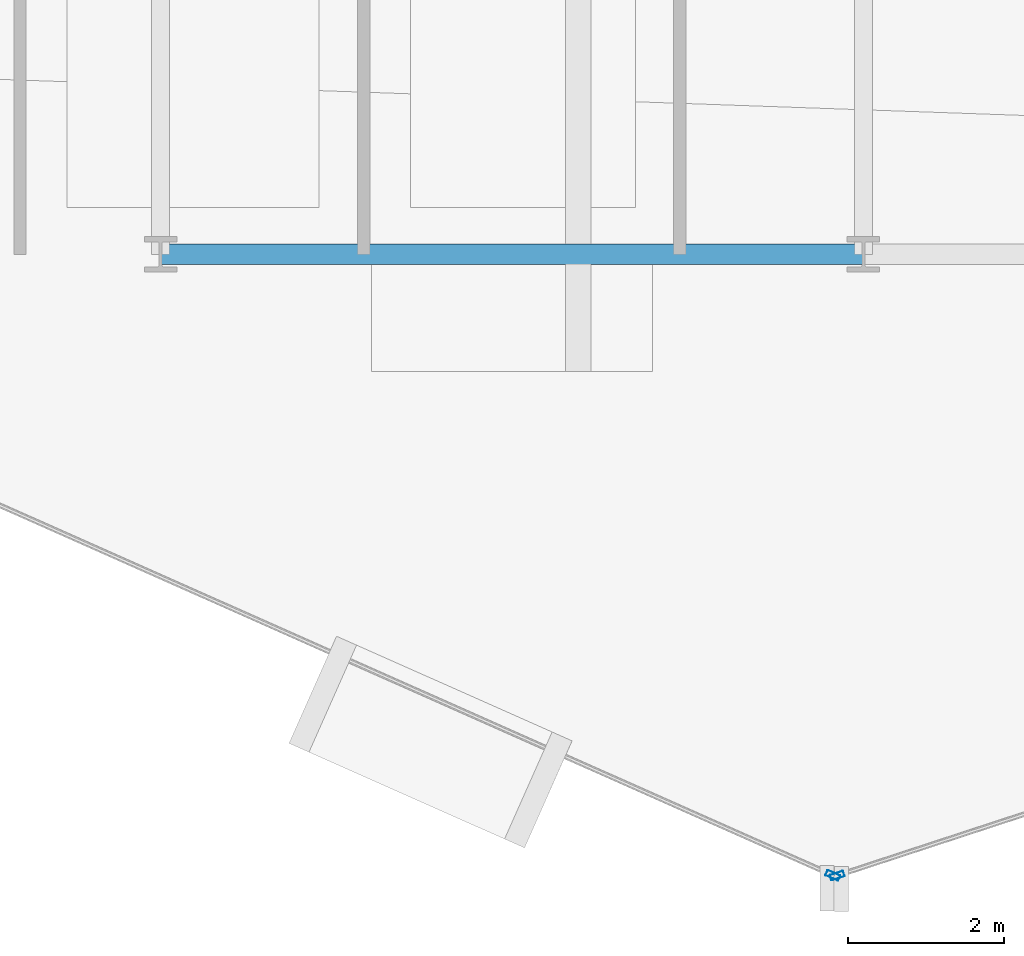
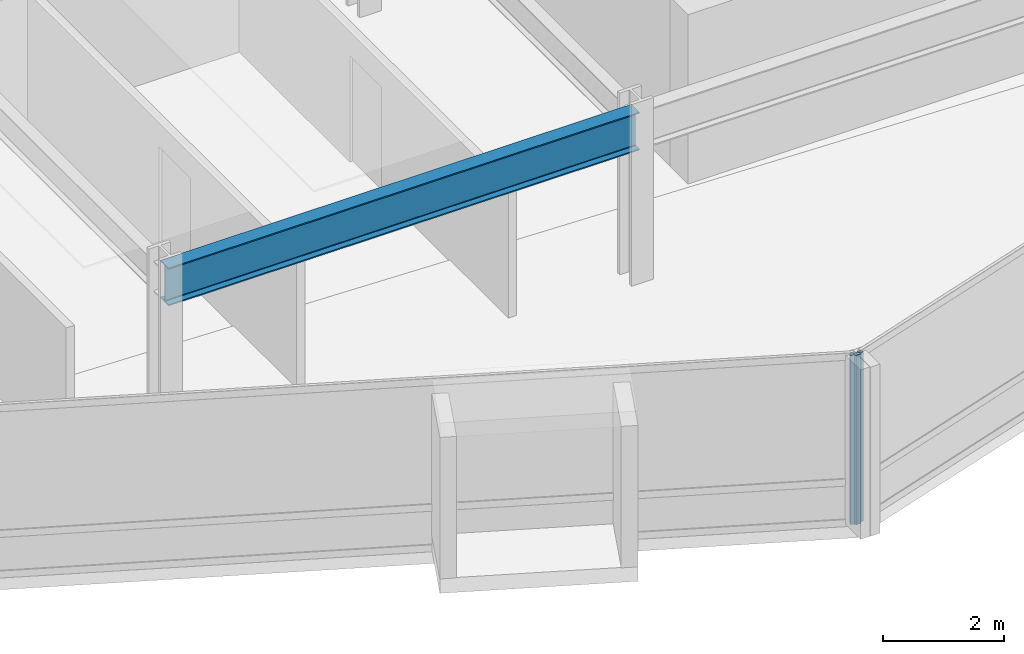
# One storey, part 4 of 29: 2 members, 1 beam, 2 elements without a shape of their own.
"""IFC4 building model written with IfcOpenShell, lengths in metres."""

from ifc_helpers import new_model, si_unit, direction, frame, origin, origin_2d, place, context, subcontext, project, spatial, hollow_rectangle, i_section, extrude, material, layer, layer_set, material_profile, profile_set, type_object, element, aggregate, save


model = new_model("IFC4")

# Units and contexts
model_context = context("Model", 3, precision=1e-05, world=origin(), true_north=direction((0.0, 1.0)))
body_context = subcontext(model_context, "Body", "Model", "MODEL_VIEW")
ifc_project = project(units=[si_unit("LENGTHUNIT", "METRE"), si_unit("AREAUNIT", "SQUARE_METRE"), si_unit("VOLUMEUNIT", "CUBIC_METRE"), si_unit("PLANEANGLEUNIT", "RADIAN"), si_unit("MASSUNIT", "GRAM", prefix="KILO")], contexts=[model_context])

# Site, building, storey
site_placement = place(None, origin())
site = spatial("IfcSite", under=ifc_project, at=site_placement, CompositionType="ELEMENT")
building_placement = place(site_placement, origin())
building = spatial("IfcBuilding", under=site, at=building_placement, Name="Solvaryn Broadcast Tower", CompositionType="ELEMENT")
storey_placement = place(building_placement, frame((0.0, 0.0, 124.800048828125)))
storey = spatial("IfcBuildingStorey", under=building, at=storey_placement, Name="L30", CompositionType="ELEMENT", Elevation=124.800048828125)

# Beam
ifc_material_1 = material(Name="Steel ASTM A992 Grade 50", Category="steel")
ifc_material_profile_1 = material_profile(ifc_material_1, i_section(OverallWidth=0.26708984375, OverallDepth=0.76611328125, WebThickness=0.014892578125, FlangeThickness=0.023681640625, FilletRadius=0.01806640625, at=origin_2d()))
ifc_profile_set_1 = profile_set([ifc_material_profile_1], Name="Steel ASTM A992 Grade 50")
beam_type = type_object("IfcBeamType", Name="BM-SP2-W30X124", PredefinedType="USERDEFINED", material=ifc_profile_set_1)
beam_placement = place(storey_placement, frame((18.0, 9.0, 3.036865234375), z_axis=(1.0, 0.0, 0.0), x_axis=(0.0, 1.0, 0.0)))
element("IfcBeam", 1, at=beam_placement, inside=storey, type_object=beam_type, Name="L30 Spandrel Beam X (18-27 @ Y=9)", ObjectType="SPANDREL", PredefinedType="USERDEFINED", context=body_context, shape_type="SweptSolid", body=[
    extrude(i_section(OverallWidth=0.26708984375, OverallDepth=0.76611328125, WebThickness=0.014892578125, FlangeThickness=0.023681640625, FilletRadius=0.01806640625, at=origin_2d()), origin(), (0.0, 0.0, 1.0), 9.0),
])

# Curtain wall, member
ifc_material_2 = material(Name="Aluminium and Terracotta Unitised Curtain Wall", Category="masonry")
ifc_layer = layer(ifc_material_2, 0.199951171875)
ifc_layer_set = layer_set([ifc_layer], Name="CW-SYS2-LOWMID")
curtain_wall_type = type_object("IfcCurtainWallType", Name="CW-SYS2-LOWMID", PredefinedType="NOTDEFINED", material=ifc_layer_set)
curtain_wall_1_placement = place(storey_placement, origin())
curtain_wall_1 = element("IfcCurtainWall", 2, at=curtain_wall_1_placement, inside=storey, type_object=curtain_wall_type, Name="L30 Curtain Wall DR3", PredefinedType="NOTDEFINED")
ifc_material_3 = material(Name="Anodised Aluminium 6063-T6", Category="aluminium")
ifc_material_profile_2 = material_profile(ifc_material_3, hollow_rectangle(XDim=0.074951171875, YDim=0.179931640625, WallThickness=0.00390625, InnerFilletRadius=0.00390625, OuterFilletRadius=0.008056640625, at=origin_2d()))
ifc_profile_set_2 = profile_set([ifc_material_profile_2], Name="Anodised Aluminium 6063-T6")
member_type = type_object("IfcMemberType", Name="CW-MUL-180", PredefinedType="MULLION", material=ifc_profile_set_2)
member_1_placement = place(storey_placement, frame((26.608642578125, 1.046142578125, 0.0), z_axis=(0.0, 0.0, 1.0), x_axis=(0.405918429309, 0.913909311008, 0.0)))
member_1 = element("IfcMember", 3, at=member_1_placement, type_object=member_type, Name="CWS2 mullion 2", PredefinedType="MULLION", context=body_context, shape_type="SweptSolid", body=[
    extrude(hollow_rectangle(XDim=0.074951171875, YDim=0.179931640625, WallThickness=0.00390625, InnerFilletRadius=0.00390625, OuterFilletRadius=0.008056640625, at=origin_2d()), origin(), (0.0, 0.0, 1.0), 3.419921875),
])
aggregate(curtain_wall_1, [member_1])

curtain_wall_2_placement = place(storey_placement, origin())
curtain_wall_2 = element("IfcCurtainWall", 4, at=curtain_wall_2_placement, inside=storey, type_object=curtain_wall_type, Name="L30 Curtain Wall DR4", PredefinedType="NOTDEFINED")
member_2_placement = place(storey_placement, frame((26.66455078125, 1.04345703125, 0.0), z_axis=(0.0, 0.0, 1.0), x_axis=(-0.311646057547, 0.950198260794, 0.0)))
member_2 = element("IfcMember", 5, at=member_2_placement, type_object=member_type, Name="CWS2 mullion 1", PredefinedType="MULLION", context=body_context, shape_type="SweptSolid", body=[
    extrude(hollow_rectangle(XDim=0.074951171875, YDim=0.179931640625, WallThickness=0.00390625, InnerFilletRadius=0.00390625, OuterFilletRadius=0.008056640625, at=origin_2d()), origin(), (0.0, 0.0, 1.0), 3.419921875),
])
aggregate(curtain_wall_2, [member_2])

save(model, "model.ifc")
